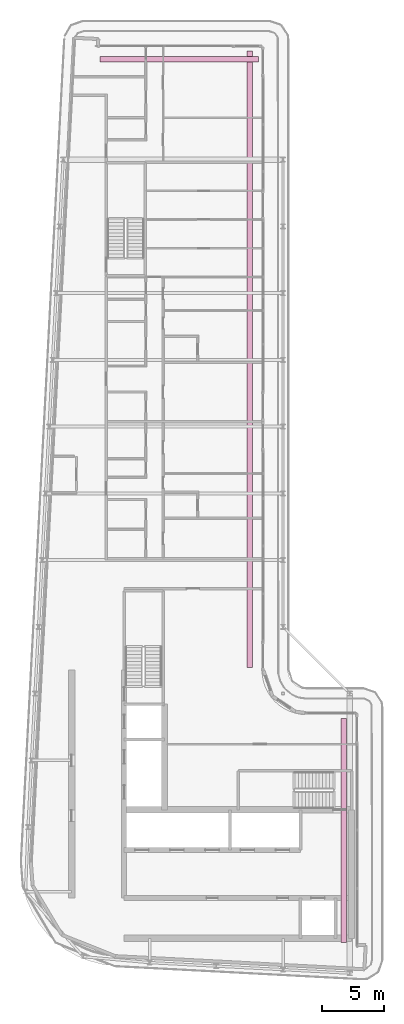
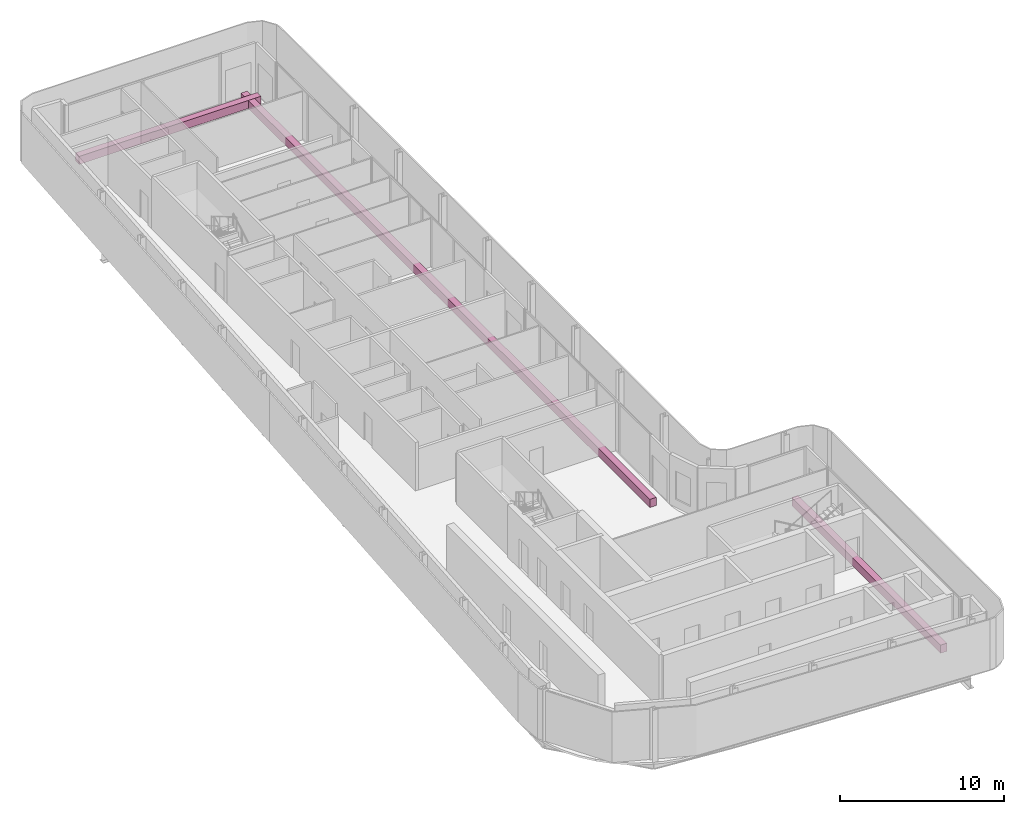
# One storey, part 18 of 18: 3 furniture elements.
"""IFC4 building model written with IfcOpenShell, lengths in metres."""

from ifc_helpers import new_model, si_unit, direction, frame, origin, origin_2d, place, context, subcontext, project, spatial, rectangle, extrude, material, type_object, element, save


model = new_model("IFC4")

# Units and contexts
model_context = context("Model", 3, precision=1e-05, world=origin(), true_north=direction((0.0, 1.0)))
body_context = subcontext(model_context, "Body", "Model", "MODEL_VIEW")
ifc_project = project(units=[si_unit("LENGTHUNIT", "METRE"), si_unit("AREAUNIT", "SQUARE_METRE"), si_unit("VOLUMEUNIT", "CUBIC_METRE"), si_unit("PLANEANGLEUNIT", "RADIAN"), si_unit("MASSUNIT", "GRAM", prefix="KILO")], contexts=[model_context])

# Site, building, storey
site_placement = place(None, origin())
site = spatial("IfcSite", under=ifc_project, at=site_placement, CompositionType="ELEMENT")
building_placement = place(site_placement, origin())
building = spatial("IfcBuilding", under=site, at=building_placement, Name="Kheshtan School and Residences Tower", CompositionType="ELEMENT")
storey_placement = place(building_placement, frame((0.0, 0.0, 369.5)))
storey = spatial("IfcBuildingStorey", under=building, at=storey_placement, Name="L87", CompositionType="ELEMENT", Elevation=369.5)

# Furniture
ifc_material = material(Name="Precast concrete C30/37 in terracotta finish", Category="masonry")
furniture_type = type_object("IfcFurnitureType", Name="Planter trough", AssemblyPlace="NOTDEFINED", PredefinedType="USERDEFINED", material=ifc_material)
furniture_1_placement = place(storey_placement, frame((39.196044921875, 96.925048828125, 0.0), z_axis=(0.0, 0.0, 1.0), x_axis=(1.0, 0.0, 0.0)))
element("IfcFurniture", 1, at=furniture_1_placement, inside=storey, type_object=furniture_type, Name="Planter L87", ObjectType="PLANTER", PredefinedType="USERDEFINED", context=body_context, shape_type="SweptSolid", body=[
    extrude(rectangle(XDim=12.80810546875, YDim=0.449951171875, at=origin_2d()), origin(), (0.0, 0.0, 1.0), 0.60009765625),
])
furniture_2_placement = place(storey_placement, frame((44.925048828125, 72.6650390625, 0.0), z_axis=(0.0, 0.0, 1.0), x_axis=(0.0, -1.0, 0.0)))
element("IfcFurniture", 2, at=furniture_2_placement, inside=storey, type_object=furniture_type, Name="Planter L87", ObjectType="PLANTER", PredefinedType="USERDEFINED", context=body_context, shape_type="SweptSolid", body=[
    extrude(rectangle(XDim=49.8701171875, YDim=0.449951171875, at=origin_2d()), origin(), (0.0, 0.0, 1.0), 0.60009765625),
])
furniture_3_placement = place(storey_placement, frame((52.52490234375, 34.528076171875, 0.0), z_axis=(0.0, 0.0, 1.0), x_axis=(0.0, -1.0, 0.0)))
element("IfcFurniture", 3, at=furniture_3_placement, inside=storey, type_object=furniture_type, Name="Planter L87", ObjectType="PLANTER", PredefinedType="USERDEFINED", context=body_context, shape_type="SweptSolid", body=[
    extrude(rectangle(XDim=18.14404296875, YDim=0.449951171875, at=origin_2d()), origin(), (0.0, 0.0, 1.0), 0.60009765625),
])

save(model, "model.ifc")
